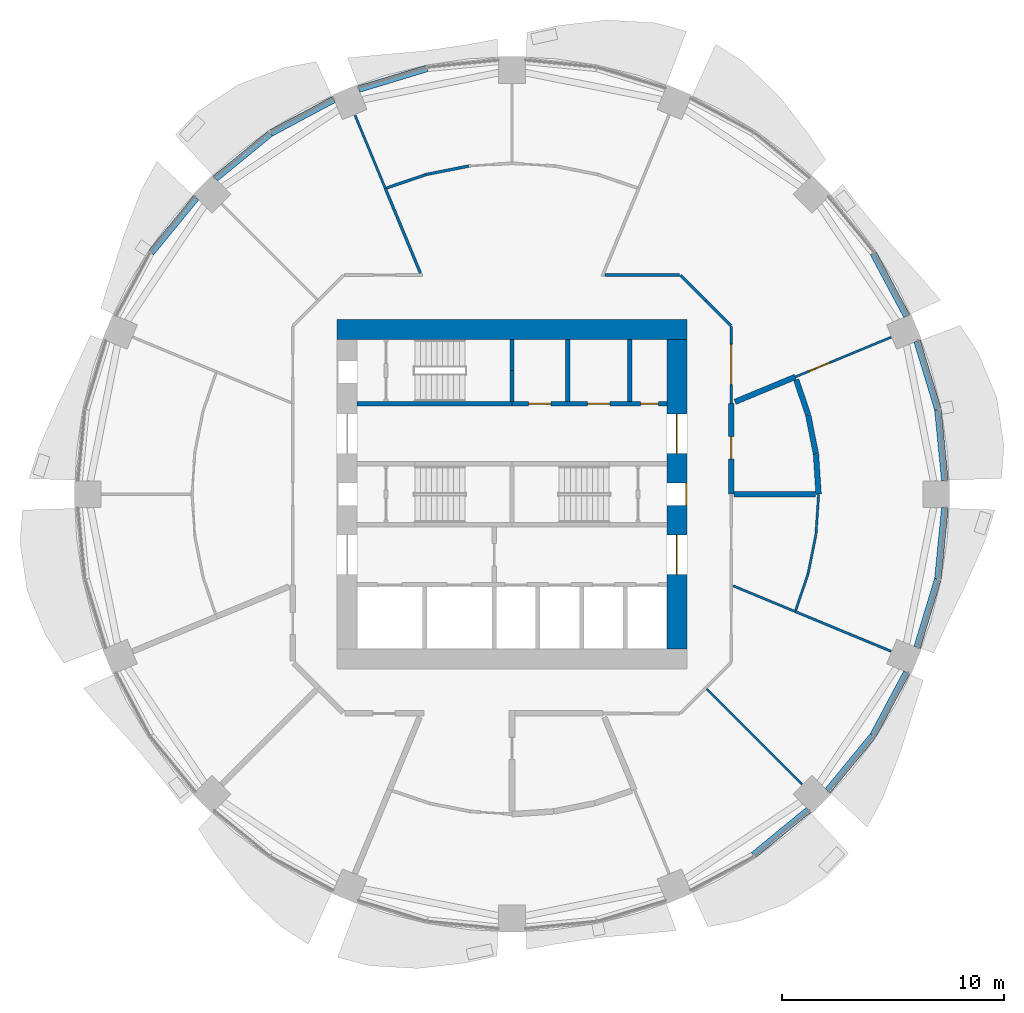
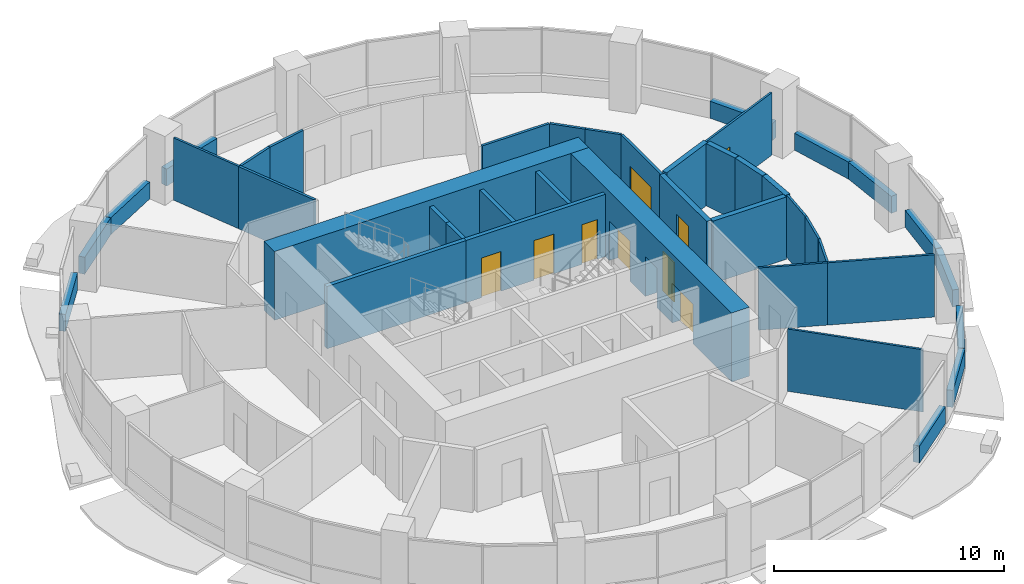
# One storey, part 10 of 15: 41 walls, 9 doors, 9 openings.
"""IFC4 building model written with IfcOpenShell, lengths in metres."""

from ifc_helpers import new_model, si_unit, direction, frame, frame_2d, origin, place, context, subcontext, project, spatial, rectangle, extrude, material, layer, layer_set, type_object, element, fill, save


model = new_model("IFC4")

# Units and contexts
model_context = context("Model", 3, precision=1e-05, world=origin(), true_north=direction((0.0, 1.0)))
body_context = subcontext(model_context, "Body", "Model", "MODEL_VIEW")
ifc_project = project(units=[si_unit("LENGTHUNIT", "METRE"), si_unit("AREAUNIT", "SQUARE_METRE"), si_unit("VOLUMEUNIT", "CUBIC_METRE"), si_unit("PLANEANGLEUNIT", "RADIAN"), si_unit("MASSUNIT", "GRAM", prefix="KILO")], contexts=[model_context])

# Site, building, storey
site_placement = place(None, origin())
site = spatial("IfcSite", under=ifc_project, at=site_placement, CompositionType="ELEMENT")
building_placement = place(site_placement, origin())
building = spatial("IfcBuilding", under=site, at=building_placement, Name="Polderwave Tower", CompositionType="ELEMENT")
storey_placement = place(building_placement, frame((0.0, 0.0, 40.800048828125)))
storey = spatial("IfcBuildingStorey", under=building, at=storey_placement, Name="L10", CompositionType="ELEMENT", Elevation=40.800048828125)

# Wall
ifc_material_1 = material(Name="Concrete C80/95", Category="concrete")
ifc_layer_1 = layer(ifc_material_1, 0.89990234375)
ifc_layer_set_1 = layer_set([ifc_layer_1], Name="CORE WALL 900 C80/95")
wall_type_1 = type_object("IfcWallType", Name="CORE WALL 900 C80/95", PredefinedType="SHEAR", material=ifc_layer_set_1)
wall_1_placement = place(storey_placement, frame((-7.8740234375, 7.424072265625, 0.0), z_axis=(0.0, 0.0, 1.0), x_axis=(1.0, 0.0, 0.0)))
element("IfcWall", 1, at=wall_1_placement, inside=storey, type_object=wall_type_1, Name="ST-CORE-L10-N", PredefinedType="SHEAR", context=body_context, shape_type="SweptSolid", body=[
    extrude(rectangle(XDim=15.748046875, YDim=0.89990234375, at=frame_2d((7.8740234375, 0.0))), origin(), (0.0, 0.0, 1.0), 3.64990234375),
])

# Wall, openings, doors
wall_2_placement = place(storey_placement, frame((7.424072265625, -6.97412109375, 0.0), z_axis=(0.0, 0.0, 1.0), x_axis=(0.0, 1.0, 0.0)))
wall_2 = element("IfcWall", 2, at=wall_2_placement, inside=storey, type_object=wall_type_1, Name="ST-CORE-L10-E", PredefinedType="SHEAR", context=body_context, shape_type="SweptSolid", body=[
    extrude(rectangle(XDim=13.9482421875, YDim=0.89990234375, at=frame_2d((6.97412109375, 0.0))), origin(), (0.0, 0.0, 1.0), 3.64990234375),
])
opening_1_placement = place(wall_2_placement, frame((6.47412109375, 0.0, 0.0)))
opening_1 = element("IfcOpeningElement", 3, at=opening_1_placement, cuts=wall_2, Name="Opening L10-D21", PredefinedType="OPENING", context=body_context, shape_type="SweptSolid", body=[
    extrude(rectangle(XDim=1.0, YDim=2.10009765625, at=frame_2d((0.5, 1.050048828125))), frame((0.0, 0.4599609375, 0.0), z_axis=(0.0, -1.0, 0.0), x_axis=(1.0, 0.0, 0.0)), (0.0, 0.0, 1.0), 0.919921875),
])
opening_2_placement = place(wall_2_placement, frame((3.349609375, 0.0, 0.0)))
opening_2 = element("IfcOpeningElement", 4, at=opening_2_placement, cuts=wall_2, Name="Opening L10-D22", PredefinedType="OPENING", context=body_context, shape_type="SweptSolid", body=[
    extrude(rectangle(XDim=1.800048828125, YDim=2.10009765625, at=frame_2d((0.89990234375, 1.050048828125))), frame((0.0, 0.4599609375, 0.0), z_axis=(0.0, -1.0, 0.0), x_axis=(1.0, 0.0, 0.0)), (0.0, 0.0, 1.0), 0.919921875),
])
opening_3_placement = place(wall_2_placement, frame((8.798583984375, 0.0, 0.0)))
opening_3 = element("IfcOpeningElement", 5, at=opening_3_placement, cuts=wall_2, Name="Opening L10-D23", PredefinedType="OPENING", context=body_context, shape_type="SweptSolid", body=[
    extrude(rectangle(XDim=1.800048828125, YDim=2.10009765625, at=frame_2d((0.89990234375, 1.050048828125))), frame((0.0, 0.4599609375, 0.0), z_axis=(0.0, -1.0, 0.0), x_axis=(1.0, 0.0, 0.0)), (0.0, 0.0, 1.0), 0.919921875),
])
ifc_material_2 = material(Name="Steel fire door", Category="steel")
door_type_1 = type_object("IfcDoorType", Name="Lobby entry door pair 1800", OperationType="DOUBLE_DOOR_SINGLE_SWING", PredefinedType="DOOR", material=ifc_material_2)
door_1_placement = place(opening_2_placement, frame((1.800048828125, 0.0, 0.0), z_axis=(0.0, 0.0, 1.0), x_axis=(-1.0, 0.0, 0.0)))
door_1 = element("IfcDoor", 6, at=door_1_placement, inside=storey, type_object=door_type_1, Name="South lobby entry door", OperationType="DOUBLE_DOOR_SINGLE_SWING", OverallHeight=2.10009765625, OverallWidth=1.800048828125, PredefinedType="DOOR", context=body_context, shape_type="SweptSolid", body=[
    extrude(rectangle(XDim=1.800048828125, YDim=2.10009765625, at=frame_2d((0.89990234375, 1.050048828125))), frame((0.0, 0.02490234375, 0.0), z_axis=(0.0, -1.0, 0.0), x_axis=(1.0, 0.0, 0.0)), (0.0, 0.0, 1.0), 0.050048828125),
])
fill(opening_2, door_1)
door_2_placement = place(opening_3_placement, frame((1.800048828125, 0.0, 0.0), z_axis=(0.0, 0.0, 1.0), x_axis=(-1.0, 0.0, 0.0)))
door_2 = element("IfcDoor", 7, at=door_2_placement, inside=storey, type_object=door_type_1, Name="North lobby entry door", OperationType="DOUBLE_DOOR_SINGLE_SWING", OverallHeight=2.10009765625, OverallWidth=1.800048828125, PredefinedType="DOOR", context=body_context, shape_type="SweptSolid", body=[
    extrude(rectangle(XDim=1.800048828125, YDim=2.10009765625, at=frame_2d((0.89990234375, 1.050048828125))), frame((0.0, 0.02490234375, 0.0), z_axis=(0.0, -1.0, 0.0), x_axis=(1.0, 0.0, 0.0)), (0.0, 0.0, 1.0), 0.050048828125),
])
fill(opening_3, door_2)
door_type_2 = type_object("IfcDoorType", Name="Stair door 1000", OperationType="NOTDEFINED", PredefinedType="DOOR", material=ifc_material_2)
door_3_placement = place(opening_1_placement, frame((1.0, 0.0, 0.0), z_axis=(0.0, 0.0, 1.0), x_axis=(-1.0, 0.0, 0.0)))
door_3 = element("IfcDoor", 8, at=door_3_placement, inside=storey, type_object=door_type_2, Name="Stair B entry door", OperationType="SINGLE_SWING_LEFT", OverallHeight=2.10009765625, OverallWidth=1.0, PredefinedType="DOOR", context=body_context, shape_type="SweptSolid", body=[
    extrude(rectangle(XDim=1.0, YDim=2.10009765625, at=frame_2d((0.5, 1.050048828125))), frame((0.0, 0.4501953125, 0.0), z_axis=(0.0, -1.0, 0.0), x_axis=(1.0, 0.0, 0.0)), (0.0, 0.0, 1.0), 0.050048828125),
])
fill(opening_1, door_3)

# Walls
ifc_material_3 = material(Name="Concrete C50/60 (board-marked)", Category="concrete")
ifc_layer_2 = layer(ifc_material_3, 0.300048828125)
ifc_layer_set_2 = layer_set([ifc_layer_2], Name="Concrete spandrel upstand C50/60")
wall_type_2 = type_object("IfcWallType", Name="Concrete spandrel upstand C50/60", PredefinedType="SOLIDWALL", material=ifc_layer_set_2)
wall_3_placement = place(storey_placement, frame((19.49951171875, 0.61279296875, 0.0), z_axis=(0.0, 0.0, 1.0), x_axis=(-0.098002102993, 0.995186207606, 0.0)))
element("IfcWall", 9, at=wall_3_placement, inside=storey, type_object=wall_type_2, Name="Spandrel L10 1a", PredefinedType="SOLIDWALL", context=body_context, shape_type="SweptSolid", body=[
    extrude(rectangle(XDim=3.20361328125, YDim=0.300048828125, at=frame_2d((1.601806640625, 0.0))), origin(), (0.0, 0.0, 1.0), 0.89990234375),
])
wall_4_placement = place(storey_placement, frame((19.1796875, 3.830322265625, 0.0), z_axis=(0.0, 0.0, 1.0), x_axis=(-0.290472877795, 0.956883225512, 0.0)))
element("IfcWall", 10, at=wall_4_placement, inside=storey, type_object=wall_type_2, Name="Spandrel L10 1b", PredefinedType="SOLIDWALL", context=body_context, shape_type="SweptSolid", body=[
    extrude(rectangle(XDim=3.202392578125, YDim=0.300048828125, at=frame_2d((1.60107421875, 0.0))), origin(), (0.0, 0.0, 1.0), 0.89990234375),
])
wall_5_placement = place(storey_placement, frame((17.77978515625, 8.0283203125, 0.0), z_axis=(0.0, 0.0, 1.0), x_axis=(-0.471284265614, 0.881981372243, 0.0)))
element("IfcWall", 11, at=wall_5_placement, inside=storey, type_object=wall_type_2, Name="Spandrel L10 2a", PredefinedType="SOLIDWALL", context=body_context, shape_type="SweptSolid", body=[
    extrude(rectangle(XDim=3.20361328125, YDim=0.300048828125, at=frame_2d((1.601806640625, 0.0))), origin(), (0.0, 0.0, 1.0), 0.89990234375),
])
wall_6_placement = place(storey_placement, frame((-3.830322265625, 19.1796875, 0.0), z_axis=(0.0, 0.0, 1.0), x_axis=(-0.956883225512, -0.290472877795, 0.0)))
element("IfcWall", 12, at=wall_6_placement, inside=storey, type_object=wall_type_2, Name="Spandrel L10 5b", PredefinedType="SOLIDWALL", context=body_context, shape_type="SweptSolid", body=[
    extrude(rectangle(XDim=3.202392578125, YDim=0.300048828125, at=frame_2d((1.60107421875, 0.0))), origin(), (0.0, 0.0, 1.0), 0.89990234375),
])
wall_7_placement = place(storey_placement, frame((-8.0283203125, 17.77978515625, 0.0), z_axis=(0.0, 0.0, 1.0), x_axis=(-0.881981372243, -0.471284265614, 0.0)))
element("IfcWall", 13, at=wall_7_placement, inside=storey, type_object=wall_type_2, Name="Spandrel L10 6a", PredefinedType="SOLIDWALL", context=body_context, shape_type="SweptSolid", body=[
    extrude(rectangle(XDim=3.20361328125, YDim=0.300048828125, at=frame_2d((1.601806640625, 0.0))), origin(), (0.0, 0.0, 1.0), 0.89990234375),
])
for number, where, z_axis, x_axis, name in (
    (14, (-10.878662109375, 16.25341796875, 0.0), (0.0, 0.0, 1.0), (-0.773141427091, -0.634233658611, 0.0), "Spandrel L10 6b"),
    (15, (-14.222412109375, 13.3544921875, 0.0), (0.0, 0.0, 1.0), (-0.634233658611, -0.773141427091, 0.0), "Spandrel L10 7a"),
    (16, (10.878662109375, -16.25341796875, 0.0), (0.0, 0.0, 1.0), (0.773141427091, 0.634233658611, 0.0), "Spandrel L10 14b"),
    (17, (14.222412109375, -13.3544921875, 0.0), (0.0, 0.0, 1.0), (0.634233658611, 0.773141427091, 0.0), "Spandrel L10 15a"),
):
    element("IfcWall", number, at=place(storey_placement, frame(where, z_axis=z_axis, x_axis=x_axis)), inside=storey, type_object=wall_type_2, Name=name, PredefinedType="SOLIDWALL", context=body_context, shape_type="SweptSolid", body=[
        extrude(rectangle(XDim=3.202392578125, YDim=0.300048828125, at=frame_2d((1.60107421875, 0.0))), origin(), (0.0, 0.0, 1.0), 0.89990234375),
    ])
wall_8_placement = place(storey_placement, frame((16.27001953125, -10.853759765625, 0.0), z_axis=(0.0, 0.0, 1.0), x_axis=(0.471284265614, 0.881981372243, 0.0)))
element("IfcWall", 18, at=wall_8_placement, inside=storey, type_object=wall_type_2, Name="Spandrel L10 15b", PredefinedType="SOLIDWALL", context=body_context, shape_type="SweptSolid", body=[
    extrude(rectangle(XDim=3.20361328125, YDim=0.300048828125, at=frame_2d((1.601806640625, 0.0))), origin(), (0.0, 0.0, 1.0), 0.89990234375),
])
wall_9_placement = place(storey_placement, frame((18.24951171875, -6.89453125, 0.0), z_axis=(0.0, 0.0, 1.0), x_axis=(0.290472877795, 0.956883225512, 0.0)))
element("IfcWall", 19, at=wall_9_placement, inside=storey, type_object=wall_type_2, Name="Spandrel L10 16a", PredefinedType="SOLIDWALL", context=body_context, shape_type="SweptSolid", body=[
    extrude(rectangle(XDim=3.202392578125, YDim=0.300048828125, at=frame_2d((1.60107421875, 0.0))), origin(), (0.0, 0.0, 1.0), 0.89990234375),
])
wall_10_placement = place(storey_placement, frame((19.185546875, -3.801025390625, 0.0), z_axis=(0.0, 0.0, 1.0), x_axis=(0.098002102993, 0.995186207606, 0.0)))
element("IfcWall", 20, at=wall_10_placement, inside=storey, type_object=wall_type_2, Name="Spandrel L10 16b", PredefinedType="SOLIDWALL", context=body_context, shape_type="SweptSolid", body=[
    extrude(rectangle(XDim=3.20361328125, YDim=0.300048828125, at=frame_2d((1.601806640625, 0.0))), origin(), (0.0, 0.0, 1.0), 0.89990234375),
])
ifc_material_4 = material(Name="Gypsum board partition")
ifc_layer_3 = layer(ifc_material_4, 0.199951171875)
ifc_layer_set_3 = layer_set([ifc_layer_3], Name="Core room partition 200")
wall_type_3 = type_object("IfcWallType", Name="Core room partition 200", PredefinedType="PARTITIONING", material=ifc_layer_set_3)
wall_11_placement = place(storey_placement, frame((2.508544921875, 4.174072265625, 0.0), z_axis=(0.0, 0.0, 1.0), x_axis=(0.0, 1.0, 0.0)))
element("IfcWall", 21, at=wall_11_placement, inside=storey, type_object=wall_type_3, Name="L10 room partition N1", PredefinedType="PARTITIONING", context=body_context, shape_type="SweptSolid", body=[
    extrude(rectangle(XDim=2.800048828125, YDim=0.199951171875, at=frame_2d((1.39990234375, 0.0))), origin(), (0.0, 0.0, 1.0), 3.300048828125),
])
ifc_material_5 = material(Name="Concrete C50/60", Category="concrete")
ifc_layer_4 = layer(ifc_material_5, 0.199951171875)
ifc_layer_set_4 = layer_set([ifc_layer_4], Name="Core web wall 200")
wall_type_4 = type_object("IfcWallType", Name="Core web wall 200", PredefinedType="SHEAR", material=ifc_layer_set_4)
wall_12_placement = place(storey_placement, frame((-6.97412109375, 4.073974609375, 0.0), z_axis=(0.0, 0.0, 1.0), x_axis=(1.0, 0.0, 0.0)))
element("IfcWall", 22, at=wall_12_placement, inside=storey, type_object=wall_type_4, Name="L10 north front wall 1", PredefinedType="SHEAR", context=body_context, shape_type="SweptSolid", body=[
    extrude(rectangle(XDim=6.97412109375, YDim=0.199951171875, at=frame_2d((3.487060546875, 0.0))), origin(), (0.0, 0.0, 1.0), 3.300048828125),
])

# Wall, openings, doors
wall_13_placement = place(storey_placement, frame((0.0, 4.073974609375, 0.0), z_axis=(0.0, 0.0, 1.0), x_axis=(1.0, 0.0, 0.0)))
wall_13 = element("IfcWall", 23, at=wall_13_placement, inside=storey, type_object=wall_type_4, Name="L10 north front wall 2", PredefinedType="SHEAR", context=body_context, shape_type="SweptSolid", body=[
    extrude(rectangle(XDim=6.97412109375, YDim=0.199951171875, at=frame_2d((3.487060546875, 0.0))), origin(), (0.0, 0.0, 1.0), 3.300048828125),
])
opening_4_placement = place(wall_13_placement, frame((0.754150390625, 0.0, 0.0)))
opening_4 = element("IfcOpeningElement", 24, at=opening_4_placement, cuts=wall_13, Name="Opening L10-D14", PredefinedType="OPENING", context=body_context, shape_type="SweptSolid", body=[
    extrude(rectangle(XDim=1.0, YDim=2.10009765625, at=frame_2d((0.5, 1.050048828125))), frame((0.0, 0.10986328125, 0.0), z_axis=(0.0, -1.0, 0.0), x_axis=(1.0, 0.0, 0.0)), (0.0, 0.0, 1.0), 0.219970703125),
])
opening_5_placement = place(wall_13_placement, frame((3.406982421875, 0.0, 0.0)))
opening_5 = element("IfcOpeningElement", 25, at=opening_5_placement, cuts=wall_13, Name="Opening L10-D15", PredefinedType="OPENING", context=body_context, shape_type="SweptSolid", body=[
    extrude(rectangle(XDim=1.0, YDim=2.10009765625, at=frame_2d((0.5, 1.050048828125))), frame((0.0, 0.10986328125, 0.0), z_axis=(0.0, -1.0, 0.0), x_axis=(1.0, 0.0, 0.0)), (0.0, 0.0, 1.0), 0.219970703125),
])
opening_6_placement = place(wall_13_placement, frame((5.789794921875, 0.0, 0.0)))
opening_6 = element("IfcOpeningElement", 26, at=opening_6_placement, cuts=wall_13, Name="Opening L10-D16", PredefinedType="OPENING", context=body_context, shape_type="SweptSolid", body=[
    extrude(rectangle(XDim=0.800048828125, YDim=2.10009765625, at=frame_2d((0.39990234375, 1.050048828125))), frame((0.0, 0.10986328125, 0.0), z_axis=(0.0, -1.0, 0.0), x_axis=(1.0, 0.0, 0.0)), (0.0, 0.0, 1.0), 0.219970703125),
])
ifc_material_6 = material(Name="Timber door leaf", Category="wood")
door_type_3 = type_object("IfcDoorType", Name="Accessible WC door 1000", OperationType="NOTDEFINED", PredefinedType="DOOR", material=ifc_material_6)
door_4_placement = place(opening_4_placement, origin())
door_4 = element("IfcDoor", 27, at=door_4_placement, inside=storey, type_object=door_type_3, Name="Accessible WC door", OperationType="SINGLE_SWING_LEFT", OverallHeight=2.10009765625, OverallWidth=1.0, PredefinedType="DOOR", context=body_context, shape_type="SweptSolid", body=[
    extrude(rectangle(XDim=1.0, YDim=2.10009765625, at=frame_2d((0.5, 1.050048828125))), frame((0.0, 0.02490234375, 0.0), z_axis=(0.0, -1.0, 0.0), x_axis=(1.0, 0.0, 0.0)), (0.0, 0.0, 1.0), 0.050048828125),
])
fill(opening_4, door_4)
door_type_4 = type_object("IfcDoorType", Name="Riser door 800", OperationType="NOTDEFINED", PredefinedType="DOOR", material=ifc_material_2)
door_5_placement = place(opening_6_placement, frame((0.800048828125, 0.0, 0.0), z_axis=(0.0, 0.0, 1.0), x_axis=(-1.0, 0.0, 0.0)))
door_5 = element("IfcDoor", 28, at=door_5_placement, inside=storey, type_object=door_type_4, Name="Riser door", OperationType="SINGLE_SWING_LEFT", OverallHeight=2.10009765625, OverallWidth=0.800048828125, PredefinedType="DOOR", context=body_context, shape_type="SweptSolid", body=[
    extrude(rectangle(XDim=0.800048828125, YDim=2.10009765625, at=frame_2d((0.39990234375, 1.050048828125))), frame((0.0, 0.02490234375, 0.0), z_axis=(0.0, -1.0, 0.0), x_axis=(1.0, 0.0, 0.0)), (0.0, 0.0, 1.0), 0.050048828125),
])
fill(opening_6, door_5)
door_type_5 = type_object("IfcDoorType", Name="Room door 1000", OperationType="NOTDEFINED", PredefinedType="DOOR", material=ifc_material_6)
door_6_placement = place(opening_5_placement, origin())
door_6 = element("IfcDoor", 29, at=door_6_placement, inside=storey, type_object=door_type_5, Name="Nutrient dosing room door", OperationType="SINGLE_SWING_RIGHT", OverallHeight=2.10009765625, OverallWidth=1.0, PredefinedType="DOOR", context=body_context, shape_type="SweptSolid", body=[
    extrude(rectangle(XDim=1.0, YDim=2.10009765625, at=frame_2d((0.5, 1.050048828125))), frame((0.0, 0.02490234375, 0.0), z_axis=(0.0, -1.0, 0.0), x_axis=(1.0, 0.0, 0.0)), (0.0, 0.0, 1.0), 0.050048828125),
])
fill(opening_5, door_6)

# Walls
wall_14_placement = place(storey_placement, frame((0.0, 4.174072265625, 0.0), z_axis=(0.0, 0.0, 1.0), x_axis=(0.0, 1.0, 0.0)))
element("IfcWall", 30, at=wall_14_placement, inside=storey, type_object=wall_type_4, Name="L10 stair C wall south", PredefinedType="SHEAR", context=body_context, shape_type="SweptSolid", body=[
    extrude(rectangle(XDim=1.39990234375, YDim=0.199951171875, at=frame_2d((0.699951171875, 0.0))), origin(), (0.0, 0.0, 1.0), 3.300048828125),
])
wall_15_placement = place(storey_placement, frame((0.0, 5.573974609375, 0.0), z_axis=(0.0, 0.0, 1.0), x_axis=(0.0, 1.0, 0.0)))
element("IfcWall", 31, at=wall_15_placement, inside=storey, type_object=wall_type_4, Name="L10 stair C wall north", PredefinedType="SHEAR", context=body_context, shape_type="SweptSolid", body=[
    extrude(rectangle(XDim=1.400146484375, YDim=0.199951171875, at=frame_2d((0.7001953125, 0.0))), origin(), (0.0, 0.0, 1.0), 3.300048828125),
])
ifc_material_7 = material(Name="Fire-resisting board on steel studs", Category="steel")
ifc_layer_5 = layer(ifc_material_7, 0.125)
ifc_layer_set_5 = layer_set([ifc_layer_5], Name="Corridor wall 125 mm EI 60")
wall_type_5 = type_object("IfcWallType", Name="Corridor wall 125 mm EI 60", PredefinedType="PARTITIONING", material=ifc_layer_set_5)
wall_16_placement = place(storey_placement, frame((8.722412109375, 8.722412109375, 0.0), z_axis=(0.0, 0.0, 1.0), x_axis=(0.70718294931, -0.707030604857, 0.0)))
element("IfcWall", 32, at=wall_16_placement, inside=storey, type_object=wall_type_5, Name="IN-L10-W002", PredefinedType="PARTITIONING", context=body_context, shape_type="SweptSolid", body=[
    extrude(rectangle(XDim=1.6025390625, YDim=0.125, at=frame_2d((0.80126953125, 0.0))), origin(), (0.0, 0.0, 1.0), 3.300048828125),
])

# Wall, opening, door
wall_17_placement = place(storey_placement, frame((9.8740234375, 7.545166015625, 0.0), z_axis=(0.0, 0.0, 1.0), x_axis=(0.0, -1.0, 0.0)))
wall_17 = element("IfcWall", 33, at=wall_17_placement, inside=storey, type_object=wall_type_5, Name="IN-L10-W003", PredefinedType="PARTITIONING", context=body_context, shape_type="SweptSolid", body=[
    extrude(rectangle(XDim=3.455322265625, YDim=0.125, at=frame_2d((1.7275390625, 0.0))), origin(), (0.0, 0.0, 1.0), 3.300048828125),
])
opening_7_placement = place(wall_17_placement, frame((0.800048828125, 0.0, 0.0)))
opening_7 = element("IfcOpeningElement", 34, at=opening_7_placement, cuts=wall_17, Name="Opening L10-D51", PredefinedType="OPENING", context=body_context, shape_type="SweptSolid", body=[
    extrude(rectangle(XDim=1.800048828125, YDim=2.10009765625, at=frame_2d((0.89990234375, 1.050048828125))), frame((0.0, 0.072509765625, 0.0), z_axis=(0.0, -1.0, 0.0), x_axis=(1.0, 0.0, 0.0)), (0.0, 0.0, 1.0), 0.14501953125),
])
ifc_material_8 = material(Name="Timber fire door leaves", Category="wood")
door_type_6 = type_object("IfcDoorType", Name="Double fire door FD30S 1800 x 2100", OperationType="NOTDEFINED", PredefinedType="DOOR", material=ifc_material_8)
door_7_placement = place(opening_7_placement, origin())
door_7 = element("IfcDoor", 35, at=door_7_placement, inside=storey, type_object=door_type_6, Name="Door L10-D51", OperationType="DOUBLE_DOOR_SINGLE_SWING", OverallHeight=2.10009765625, OverallWidth=1.800048828125, PredefinedType="DOOR", context=body_context, shape_type="SweptSolid", body=[
    extrude(rectangle(XDim=1.800048828125, YDim=2.10009765625, at=frame_2d((0.89990234375, 1.050048828125))), frame((0.0, 0.02490234375, 0.0), z_axis=(0.0, -1.0, 0.0), x_axis=(1.0, 0.0, 0.0)), (0.0, 0.0, 1.0), 0.050048828125),
])
fill(opening_7, door_7)

# Walls
wall_18_placement = place(storey_placement, frame((4.183349609375, 9.8740234375, 0.0), z_axis=(0.0, 0.0, 1.0), x_axis=(1.0, 0.0, 0.0)))
element("IfcWall", 36, at=wall_18_placement, inside=storey, type_object=wall_type_5, Name="IN-L10-W007", PredefinedType="PARTITIONING", context=body_context, shape_type="SweptSolid", body=[
    extrude(rectangle(XDim=3.36181640625, YDim=0.125, at=frame_2d((1.680908203125, 0.0))), origin(), (0.0, 0.0, 1.0), 3.300048828125),
])
wall_19_placement = place(storey_placement, frame((7.58935546875, 9.855712890625, 0.0), z_axis=(0.0, 0.0, 1.0), x_axis=(0.707030604857, -0.70718294931, 0.0)))
element("IfcWall", 37, at=wall_19_placement, inside=storey, type_object=wall_type_5, Name="IN-L10-W008", PredefinedType="PARTITIONING", context=body_context, shape_type="SweptSolid", body=[
    extrude(rectangle(XDim=1.6025390625, YDim=0.125, at=frame_2d((0.80126953125, 0.0))), origin(), (0.0, 0.0, 1.0), 3.300048828125),
])
wall_20_placement = place(storey_placement, frame((-5.642578125, 13.796630859375, 0.0), z_axis=(0.0, 0.0, 1.0), x_axis=(0.94695470169, 0.321367068859, 0.0)))
element("IfcWall", 38, at=wall_20_placement, inside=storey, type_object=wall_type_5, Name="IN-L10-W037", PredefinedType="PARTITIONING", context=body_context, shape_type="SweptSolid", body=[
    extrude(rectangle(XDim=1.87939453125, YDim=0.125, at=frame_2d((0.939697265625, 0.0))), origin(), (0.0, 0.0, 1.0), 3.300048828125),
])
wall_21_placement = place(storey_placement, frame((-3.85498046875, 14.40283203125, 0.0), z_axis=(0.0, 0.0, 1.0), x_axis=(0.980807266515, 0.194979757801, 0.0)))
element("IfcWall", 39, at=wall_21_placement, inside=storey, type_object=wall_type_5, Name="IN-L10-W038", PredefinedType="PARTITIONING", context=body_context, shape_type="SweptSolid", body=[
    extrude(rectangle(XDim=1.942138671875, YDim=0.125, at=frame_2d((0.97119140625, 0.0))), origin(), (0.0, 0.0, 1.0), 3.300048828125),
])
wall_22_placement = place(storey_placement, frame((-4.125732421875, 9.96044921875, 0.0), z_axis=(0.0, 0.0, 1.0), x_axis=(-0.382699951867, 0.923872689736, 0.0)))
element("IfcWall", 40, at=wall_22_placement, inside=storey, type_object=wall_type_5, Name="IN-L10-W040", PredefinedType="PARTITIONING", context=body_context, shape_type="SweptSolid", body=[
    extrude(rectangle(XDim=4.128662109375, YDim=0.125, at=frame_2d((2.064453125, 0.0))), origin(), (0.0, 0.0, 1.0), 3.300048828125),
])

# Wall, opening, door
ifc_material_9 = material(Name="Plasterboard on steel studs", Category="steel")
ifc_layer_6 = layer(ifc_material_9, 0.10009765625)
ifc_layer_set_6 = layer_set([ifc_layer_6], Name="Partition 100 mm plasterboard on steel studs")
wall_type_6 = type_object("IfcWallType", Name="Partition 100 mm plasterboard on steel studs", PredefinedType="PARTITIONING", material=ifc_layer_set_6)
wall_23_placement = place(storey_placement, frame((17.0732421875, 7.072021484375, 0.0), z_axis=(0.0, 0.0, 1.0), x_axis=(-0.92387920118, -0.382684232268, 0.0)))
wall_23 = element("IfcWall", 41, at=wall_23_placement, inside=storey, type_object=wall_type_6, Name="IN-L10-W024", PredefinedType="PARTITIONING", context=body_context, shape_type="SweptSolid", body=[
    extrude(rectangle(XDim=4.669921875, YDim=0.10009765625, at=frame_2d((2.3349609375, 0.0))), origin(), (0.0, 0.0, 1.0), 3.300048828125),
])
opening_8_placement = place(wall_23_placement, frame((3.0, 0.0, 0.0)))
opening_8 = element("IfcOpeningElement", 42, at=opening_8_placement, cuts=wall_23, Name="Opening L10-D60", PredefinedType="OPENING", context=body_context, shape_type="SweptSolid", body=[
    extrude(rectangle(XDim=1.0, YDim=2.10009765625, at=frame_2d((0.5, 1.050048828125))), frame((0.0, 0.06005859375, 0.0), z_axis=(0.0, -1.0, 0.0), x_axis=(1.0, 0.0, 0.0)), (0.0, 0.0, 1.0), 0.1201171875),
])
ifc_material_10 = material(Name="Timber veneer door leaf", Category="wood")
door_type_7 = type_object("IfcDoorType", Name="Single door 1000 x 2100", OperationType="NOTDEFINED", PredefinedType="DOOR", material=ifc_material_10)
door_8_placement = place(opening_8_placement, origin())
door_8 = element("IfcDoor", 43, at=door_8_placement, inside=storey, type_object=door_type_7, Name="Door L10-D60", OperationType="SINGLE_SWING_RIGHT", OverallHeight=2.10009765625, OverallWidth=1.0, PredefinedType="DOOR", context=body_context, shape_type="SweptSolid", body=[
    extrude(rectangle(XDim=1.0, YDim=2.10009765625, at=frame_2d((0.5, 1.050048828125))), frame((0.0, 0.02490234375, 0.0), z_axis=(0.0, -1.0, 0.0), x_axis=(1.0, 0.0, 0.0)), (0.0, 0.0, 1.0), 0.050048828125),
])
fill(opening_8, door_8)

# Walls
ifc_material_11 = material(Name="Moisture-resistant board on steel studs, tiled", Category="steel")
ifc_layer_7 = layer(ifc_material_11, 0.10498046875)
ifc_layer_set_7 = layer_set([ifc_layer_7], Name="Partition 105 mm wet room board and tile")
wall_type_7 = type_object("IfcWallType", Name="Partition 105 mm wet room board and tile", PredefinedType="PARTITIONING", material=ifc_layer_set_7)
wall_24_placement = place(storey_placement, frame((12.777587890625, -5.229248046875, 0.0), z_axis=(0.0, 0.0, 1.0), x_axis=(0.321513757885, 0.946904907311, 0.0)))
element("IfcWall", 44, at=wall_24_placement, inside=storey, type_object=wall_type_7, Name="IN-L10-W026", PredefinedType="PARTITIONING", context=body_context, shape_type="SweptSolid", body=[
    extrude(rectangle(XDim=1.744140625, YDim=0.10498046875, at=frame_2d((0.8720703125, 0.0))), origin(), (0.0, 0.0, 1.0), 3.300048828125),
])
wall_25_placement = place(storey_placement, frame((13.340087890625, -3.57080078125, 0.0), z_axis=(0.0, 0.0, 1.0), x_axis=(0.195098478373, 0.980783657968, 0.0)))
element("IfcWall", 45, at=wall_25_placement, inside=storey, type_object=wall_type_7, Name="IN-L10-W027", PredefinedType="PARTITIONING", context=body_context, shape_type="SweptSolid", body=[
    extrude(rectangle(XDim=1.799560546875, YDim=0.10498046875, at=frame_2d((0.89990234375, 0.0))), origin(), (0.0, 0.0, 1.0), 3.300048828125),
])
wall_26_placement = place(storey_placement, frame((13.692138671875, -1.79931640625, 0.0), z_axis=(0.0, 0.0, 1.0), x_axis=(0.065395671101, 0.997859412042, 0.0)))
element("IfcWall", 46, at=wall_26_placement, inside=storey, type_object=wall_type_7, Name="IN-L10-W028", PredefinedType="PARTITIONING", context=body_context, shape_type="SweptSolid", body=[
    extrude(rectangle(XDim=1.80322265625, YDim=0.10498046875, at=frame_2d((0.901611328125, 0.0))), origin(), (0.0, 0.0, 1.0), 3.300048828125),
])
wall_27_placement = place(storey_placement, frame((-5.705810546875, 13.775146484375, 0.0), z_axis=(0.0, 0.0, 1.0), x_axis=(-0.382706138858, 0.923870126847, 0.0)))
element("IfcWall", 47, at=wall_27_placement, inside=storey, type_object=wall_type_7, Name="IN-L10-W041", PredefinedType="PARTITIONING", context=body_context, shape_type="SweptSolid", body=[
    extrude(rectangle(XDim=3.56982421875, YDim=0.10498046875, at=frame_2d((1.784912109375, 0.0))), origin(), (0.0, 0.0, 1.0), 3.300048828125),
])
wall_28_placement = place(storey_placement, frame((8.7666015625, -8.7666015625, 0.0), z_axis=(0.0, 0.0, 1.0), x_axis=(0.707106781187, -0.707106781187, 0.0)))
element("IfcWall", 48, at=wall_28_placement, inside=storey, type_object=wall_type_7, Name="IN-L10-W066", PredefinedType="PARTITIONING", context=body_context, shape_type="SweptSolid", body=[
    extrude(rectangle(XDim=6.082275390625, YDim=0.10498046875, at=frame_2d((3.041015625, 0.0))), origin(), (0.0, 0.0, 1.0), 3.300048828125),
])
wall_29_placement = place(storey_placement, frame((9.95654296875, -4.1240234375, 0.0), z_axis=(0.0, 0.0, 1.0), x_axis=(0.923860842545, -0.382728550819, 0.0)))
element("IfcWall", 49, at=wall_29_placement, inside=storey, type_object=wall_type_7, Name="IN-L10-W067", PredefinedType="PARTITIONING", context=body_context, shape_type="SweptSolid", body=[
    extrude(rectangle(XDim=3.033203125, YDim=0.10498046875, at=frame_2d((1.5166015625, 0.0))), origin(), (0.0, 0.0, 1.0), 3.300048828125),
])
ifc_material_12 = material(Name="Acoustic double plasterboard on steel studs", Category="steel")
ifc_layer_8 = layer(ifc_material_12, 0.110107421875)
ifc_layer_set_8 = layer_set([ifc_layer_8], Name="Partition 110 mm acoustic double board")
wall_type_8 = type_object("IfcWallType", Name="Partition 110 mm acoustic double board", PredefinedType="PARTITIONING", material=ifc_layer_set_8)
wall_30_placement = place(storey_placement, frame((17.0732421875, -7.072021484375, 0.0), z_axis=(0.0, 0.0, 1.0), x_axis=(-0.92387920118, 0.382684232268, 0.0)))
element("IfcWall", 50, at=wall_30_placement, inside=storey, type_object=wall_type_8, Name="IN-L10-W025", PredefinedType="PARTITIONING", context=body_context, shape_type="SweptSolid", body=[
    extrude(rectangle(XDim=4.669921875, YDim=0.110107421875, at=frame_2d((2.3349609375, 0.0))), origin(), (0.0, 0.0, 1.0), 3.300048828125),
])

# Wall, opening, door
ifc_material_13 = material(Name="Fire-resisting board on steel studs, mineral wool", Category="steel")
ifc_layer_9 = layer(ifc_material_13, 0.25)
ifc_layer_set_9 = layer_set([ifc_layer_9], Name="Plant room wall 250 mm EI 120")
wall_type_9 = type_object("IfcWallType", Name="Plant room wall 250 mm EI 120", PredefinedType="PARTITIONING", material=ifc_layer_set_9)
wall_31_placement = place(storey_placement, frame((9.8740234375, 4.08984375, 0.0), z_axis=(0.0, 0.0, 1.0), x_axis=(0.0, -1.0, 0.0)))
wall_31 = element("IfcWall", 51, at=wall_31_placement, inside=storey, type_object=wall_type_9, Name="IN-L10-W001", PredefinedType="PARTITIONING", context=body_context, shape_type="SweptSolid", body=[
    extrude(rectangle(XDim=4.08984375, YDim=0.25, at=frame_2d((2.044921875, 0.0))), origin(), (0.0, 0.0, 1.0), 3.300048828125),
])
opening_9_placement = place(wall_31_placement, frame((1.5, 0.0, 0.0)))
opening_9 = element("IfcOpeningElement", 52, at=opening_9_placement, cuts=wall_31, Name="Opening L10-D50", PredefinedType="OPENING", context=body_context, shape_type="SweptSolid", body=[
    extrude(rectangle(XDim=1.0, YDim=2.10009765625, at=frame_2d((0.5, 1.050048828125))), frame((0.0, 0.135009765625, 0.0), z_axis=(0.0, -1.0, 0.0), x_axis=(1.0, 0.0, 0.0)), (0.0, 0.0, 1.0), 0.27001953125),
])
ifc_material_14 = material(Name="Steel plant door leaf", Category="steel")
door_type_8 = type_object("IfcDoorType", Name="Plant door FD60 1000 x 2100 steel", OperationType="NOTDEFINED", PredefinedType="DOOR", material=ifc_material_14)
door_9_placement = place(opening_9_placement, origin())
door_9 = element("IfcDoor", 53, at=door_9_placement, inside=storey, type_object=door_type_8, Name="Door L10-D50", OperationType="SINGLE_SWING_LEFT", OverallHeight=2.10009765625, OverallWidth=1.0, PredefinedType="DOOR", context=body_context, shape_type="SweptSolid", body=[
    extrude(rectangle(XDim=1.0, YDim=2.10009765625, at=frame_2d((0.5, 1.050048828125))), frame((0.0, 0.02490234375, 0.0), z_axis=(0.0, -1.0, 0.0), x_axis=(1.0, 0.0, 0.0)), (0.0, 0.0, 1.0), 0.050048828125),
])
fill(opening_9, door_9)

# Walls
wall_32_placement = place(storey_placement, frame((13.3369140625, 3.58203125, 0.0), z_axis=(0.0, 0.0, 1.0), x_axis=(-0.321458381335, 0.946923708157, 0.0)))
element("IfcWall", 54, at=wall_32_placement, inside=storey, type_object=wall_type_9, Name="IN-L10-W021", PredefinedType="PARTITIONING", context=body_context, shape_type="SweptSolid", body=[
    extrude(rectangle(XDim=1.664794921875, YDim=0.25, at=frame_2d((0.83251953125, 0.0))), origin(), (0.0, 0.0, 1.0), 3.300048828125),
])
wall_33_placement = place(storey_placement, frame((13.690185546875, 1.810546875, 0.0), z_axis=(0.0, 0.0, 1.0), x_axis=(-0.195014530736, 0.980800353182, 0.0)))
element("IfcWall", 55, at=wall_33_placement, inside=storey, type_object=wall_type_9, Name="IN-L10-W022", PredefinedType="PARTITIONING", context=body_context, shape_type="SweptSolid", body=[
    extrude(rectangle(XDim=1.790283203125, YDim=0.25, at=frame_2d((0.89501953125, 0.0))), origin(), (0.0, 0.0, 1.0), 3.300048828125),
])
wall_34_placement = place(storey_placement, frame((13.81005859375, 0.0, 0.0), z_axis=(0.0, 0.0, 1.0), x_axis=(-0.065437674742, 0.997856658406, 0.0)))
element("IfcWall", 56, at=wall_34_placement, inside=storey, type_object=wall_type_9, Name="IN-L10-W023", PredefinedType="PARTITIONING", context=body_context, shape_type="SweptSolid", body=[
    extrude(rectangle(XDim=1.79833984375, YDim=0.25, at=frame_2d((0.899169921875, 0.0))), origin(), (0.0, 0.0, 1.0), 3.300048828125),
])
wall_35_placement = place(storey_placement, frame((10.046875, 4.16162109375, 0.0), z_axis=(0.0, 0.0, 1.0), x_axis=(0.92388200997, 0.382677451195, 0.0)))
element("IfcWall", 57, at=wall_35_placement, inside=storey, type_object=wall_type_9, Name="IN-L10-W029", PredefinedType="PARTITIONING", context=body_context, shape_type="SweptSolid", body=[
    extrude(rectangle(XDim=2.935302734375, YDim=0.25, at=frame_2d((1.4677734375, 0.0))), origin(), (0.0, 0.0, 1.0), 3.300048828125),
])
wall_36_placement = place(storey_placement, frame((13.676513671875, 0.0, 0.0), z_axis=(0.0, 0.0, 1.0), x_axis=(-1.0, 0.0, 0.0)))
element("IfcWall", 58, at=wall_36_placement, inside=storey, type_object=wall_type_9, Name="IN-L10-W030", PredefinedType="PARTITIONING", context=body_context, shape_type="SweptSolid", body=[
    extrude(rectangle(XDim=3.677490234375, YDim=0.25, at=frame_2d((1.8388671875, 0.0))), origin(), (0.0, 0.0, 1.0), 3.300048828125),
])
ifc_material_15 = material(Name="Gypsum shaft wall system")
ifc_layer_10 = layer(ifc_material_15, 0.199951171875)
ifc_layer_set_10 = layer_set([ifc_layer_10], Name="Shaft wall 200")
wall_type_10 = type_object("IfcWallType", Name="Shaft wall 200", PredefinedType="PARTITIONING", material=ifc_layer_set_10)
wall_37_placement = place(storey_placement, frame((5.305419921875, 4.174072265625, 0.0), z_axis=(0.0, 0.0, 1.0), x_axis=(0.0, 1.0, 0.0)))
element("IfcWall", 59, at=wall_37_placement, inside=storey, type_object=wall_type_10, Name="L10 riser wall", PredefinedType="PARTITIONING", context=body_context, shape_type="SweptSolid", body=[
    extrude(rectangle(XDim=2.800048828125, YDim=0.199951171875, at=frame_2d((1.39990234375, 0.0))), origin(), (0.0, 0.0, 1.0), 3.300048828125),
])

save(model, "model.ifc")
